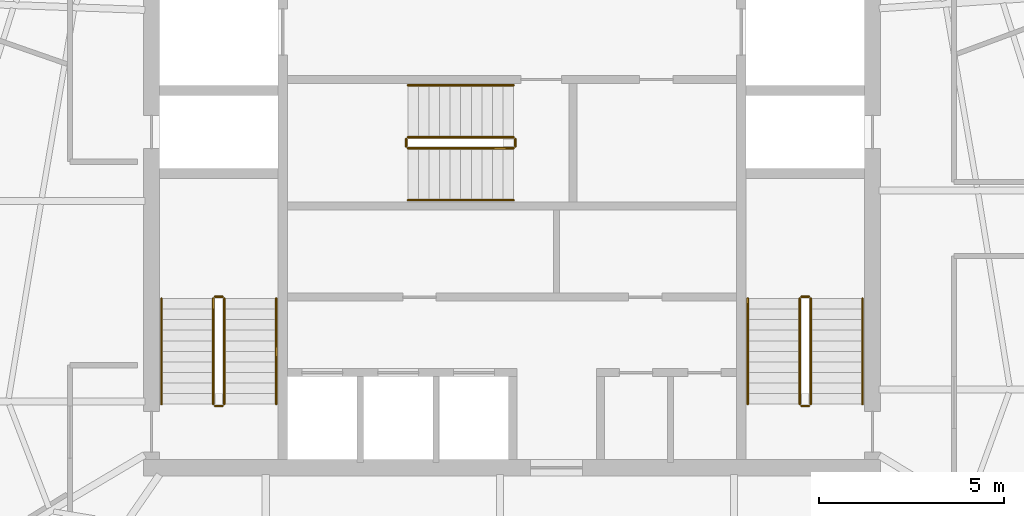
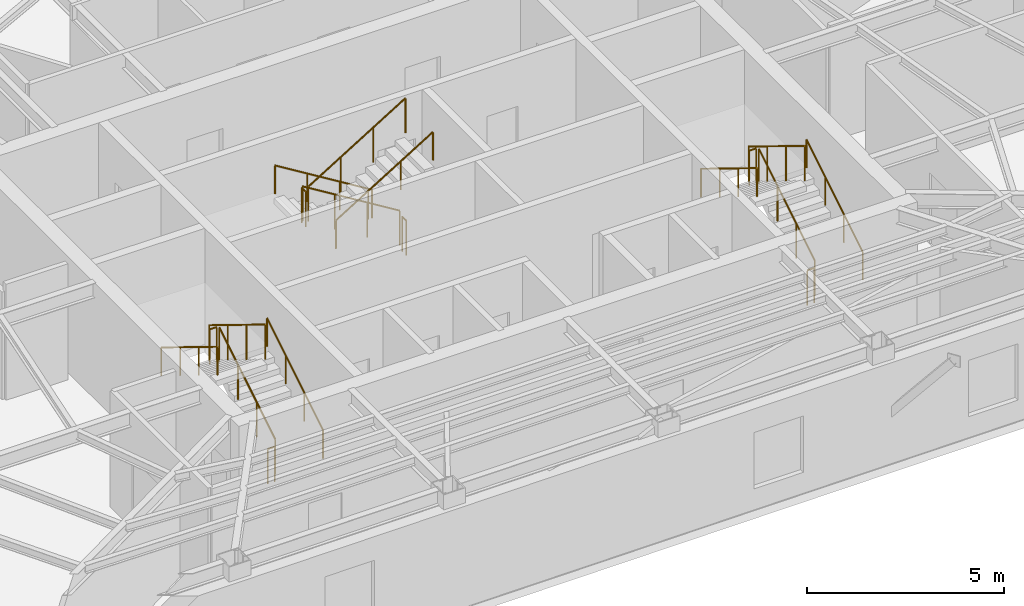
# One storey, part 10 of 10: 18 railings.
"""IFC4 building model written with IfcOpenShell, lengths in metres."""

from ifc_helpers import new_model, si_unit, direction, frame, origin, origin_2d, place, context, subcontext, project, spatial, circle, extrude, material, type_object, element, save


model = new_model("IFC4")

# Units and contexts
model_context = context("Model", 3, precision=1e-05, world=origin(), true_north=direction((0.0, 1.0)))
body_context = subcontext(model_context, "Body", "Model", "MODEL_VIEW")
ifc_project = project(units=[si_unit("LENGTHUNIT", "METRE"), si_unit("AREAUNIT", "SQUARE_METRE"), si_unit("VOLUMEUNIT", "CUBIC_METRE"), si_unit("PLANEANGLEUNIT", "RADIAN"), si_unit("MASSUNIT", "GRAM", prefix="KILO")], contexts=[model_context])

# Site, building, storey
site_placement = place(None, origin())
site = spatial("IfcSite", under=ifc_project, at=site_placement, CompositionType="ELEMENT")
building_placement = place(site_placement, origin())
building = spatial("IfcBuilding", under=site, at=building_placement, Name="Kavelnor Concourse Tower", CompositionType="ELEMENT")
storey_placement = place(building_placement, frame((0.0, 0.0, 211.199951171875)))
storey = spatial("IfcBuildingStorey", under=building, at=storey_placement, Name="L53", CompositionType="ELEMENT", Elevation=211.199951171875)

# Railings
ifc_material = material(Name="Steel Grade 350", Category="steel")
railing_type_1 = type_object("IfcRailingType", Name="RLG-GUARD-1100", PredefinedType="GUARDRAIL", material=ifc_material)
railing_1_placement = place(storey_placement, frame((30.22998046875, 11.10009765625, 0.175048828125)))
element("IfcRailing", 1, at=railing_1_placement, inside=storey, type_object=railing_type_1, Name="L53 ST1 stair guard 1", PredefinedType="GUARDRAIL", context=body_context, shape_type="SweptSolid", body=[
    extrude(circle(Radius=0.02392578125, at=origin_2d()), frame((0.0, 0.0, 1.076171875), z_axis=(0.0, 0.852159232446, 0.523282564737), x_axis=(-1.0, 0.0, 0.0)), (0.0, 0.0, 1.0), 3.34423828125),
    extrude(circle(Radius=0.02099609375, at=origin_2d()), origin(), (0.0, 0.0, 1.0), 1.052001953125),
    extrude(circle(Radius=0.02099609375, at=origin_2d()), frame((0.0, 0.949951171875, 0.583251953125)), (0.0, 0.0, 1.0), 1.052001953125),
    extrude(circle(Radius=0.02099609375, at=origin_2d()), frame((0.0, 1.89990234375, 1.166748046875)), (0.0, 0.0, 1.0), 1.052001953125),
    extrude(circle(Radius=0.02099609375, at=origin_2d()), frame((0.0, 2.849853515625, 1.75)), (0.0, 0.0, 1.0), 1.052001953125),
])
railing_2_placement = place(storey_placement, frame((30.179931640625, 14.0, 1.925048828125)))
element("IfcRailing", 2, at=railing_2_placement, inside=storey, type_object=railing_type_1, Name="L53 ST1 stair guard 2", PredefinedType="GUARDRAIL", context=body_context, shape_type="SweptSolid", body=[
    extrude(circle(Radius=0.02392578125, at=origin_2d()), frame((0.0, 0.0, 1.076171875), z_axis=(-1.0, 0.0, 0.0), x_axis=(0.0, -1.0, 0.0)), (0.0, 0.0, 1.0), 0.199951171875),
    extrude(circle(Radius=0.02099609375, at=origin_2d()), origin(), (0.0, 0.0, 1.0), 1.052001953125),
    extrude(circle(Radius=0.02099609375, at=origin_2d()), frame((-0.199951171875, 0.0, 0.0)), (0.0, 0.0, 1.0), 1.052001953125),
])
railing_3_placement = place(storey_placement, frame((29.929931640625, 13.949951171875, 2.10009765625)))
element("IfcRailing", 3, at=railing_3_placement, inside=storey, type_object=railing_type_1, Name="L53 ST1 stair guard 3", PredefinedType="GUARDRAIL", context=body_context, shape_type="SweptSolid", body=[
    extrude(circle(Radius=0.02392578125, at=origin_2d()), frame((0.0, 0.0, 1.076171875), z_axis=(0.0, -0.852159232446, 0.523282564737), x_axis=(1.0, 0.0, 0.0)), (0.0, 0.0, 1.0), 3.34423828125),
    extrude(circle(Radius=0.02099609375, at=origin_2d()), origin(), (0.0, 0.0, 1.0), 1.052001953125),
    extrude(circle(Radius=0.02099609375, at=origin_2d()), frame((0.0, -0.949951171875, 0.583251953125)), (0.0, 0.0, 1.0), 1.052001953125),
    extrude(circle(Radius=0.02099609375, at=origin_2d()), frame((0.0, -1.89990234375, 1.166748046875)), (0.0, 0.0, 1.0), 1.052001953125),
    extrude(circle(Radius=0.02099609375, at=origin_2d()), frame((0.0, -2.849853515625, 1.75)), (0.0, 0.0, 1.0), 1.052001953125),
])
railing_4_placement = place(storey_placement, frame((30.179931640625, 11.050048828125, 0.0)))
element("IfcRailing", 4, at=railing_4_placement, inside=storey, type_object=railing_type_1, Name="L53 ST1 stair guard 4", PredefinedType="GUARDRAIL", context=body_context, shape_type="SweptSolid", body=[
    extrude(circle(Radius=0.02392578125, at=origin_2d()), frame((0.0, 0.0, 1.076171875), z_axis=(-1.0, 0.0, 0.0), x_axis=(0.0, -1.0, 0.0)), (0.0, 0.0, 1.0), 0.199951171875),
    extrude(circle(Radius=0.02099609375, at=origin_2d()), origin(), (0.0, 0.0, 1.0), 1.052001953125),
    extrude(circle(Radius=0.02099609375, at=origin_2d()), frame((-0.199951171875, 0.0, 0.0)), (0.0, 0.0, 1.0), 1.052001953125),
])
railing_5_placement = place(storey_placement, frame((46.070068359375, 11.10009765625, 0.175048828125)))
element("IfcRailing", 5, at=railing_5_placement, inside=storey, type_object=railing_type_1, Name="L53 ST2 stair guard 1", PredefinedType="GUARDRAIL", context=body_context, shape_type="SweptSolid", body=[
    extrude(circle(Radius=0.02392578125, at=origin_2d()), frame((0.0, 0.0, 1.076171875), z_axis=(0.0, 0.852159232446, 0.523282564737), x_axis=(-1.0, 0.0, 0.0)), (0.0, 0.0, 1.0), 3.34423828125),
    extrude(circle(Radius=0.02099609375, at=origin_2d()), origin(), (0.0, 0.0, 1.0), 1.052001953125),
    extrude(circle(Radius=0.02099609375, at=origin_2d()), frame((0.0, 0.949951171875, 0.583251953125)), (0.0, 0.0, 1.0), 1.052001953125),
    extrude(circle(Radius=0.02099609375, at=origin_2d()), frame((0.0, 1.89990234375, 1.166748046875)), (0.0, 0.0, 1.0), 1.052001953125),
    extrude(circle(Radius=0.02099609375, at=origin_2d()), frame((0.0, 2.849853515625, 1.75)), (0.0, 0.0, 1.0), 1.052001953125),
])
railing_6_placement = place(storey_placement, frame((46.02001953125, 14.0, 1.925048828125)))
element("IfcRailing", 6, at=railing_6_placement, inside=storey, type_object=railing_type_1, Name="L53 ST2 stair guard 2", PredefinedType="GUARDRAIL", context=body_context, shape_type="SweptSolid", body=[
    extrude(circle(Radius=0.02392578125, at=origin_2d()), frame((0.0, 0.0, 1.076171875), z_axis=(-1.0, 0.0, 0.0), x_axis=(0.0, -1.0, 0.0)), (0.0, 0.0, 1.0), 0.199951171875),
    extrude(circle(Radius=0.02099609375, at=origin_2d()), origin(), (0.0, 0.0, 1.0), 1.052001953125),
    extrude(circle(Radius=0.02099609375, at=origin_2d()), frame((-0.199951171875, 0.0, 0.0)), (0.0, 0.0, 1.0), 1.052001953125),
])
railing_7_placement = place(storey_placement, frame((45.77001953125, 13.949951171875, 2.10009765625)))
element("IfcRailing", 7, at=railing_7_placement, inside=storey, type_object=railing_type_1, Name="L53 ST2 stair guard 3", PredefinedType="GUARDRAIL", context=body_context, shape_type="SweptSolid", body=[
    extrude(circle(Radius=0.02392578125, at=origin_2d()), frame((0.0, 0.0, 1.076171875), z_axis=(0.0, -0.852159232446, 0.523282564737), x_axis=(1.0, 0.0, 0.0)), (0.0, 0.0, 1.0), 3.34423828125),
    extrude(circle(Radius=0.02099609375, at=origin_2d()), origin(), (0.0, 0.0, 1.0), 1.052001953125),
    extrude(circle(Radius=0.02099609375, at=origin_2d()), frame((0.0, -0.949951171875, 0.583251953125)), (0.0, 0.0, 1.0), 1.052001953125),
    extrude(circle(Radius=0.02099609375, at=origin_2d()), frame((0.0, -1.89990234375, 1.166748046875)), (0.0, 0.0, 1.0), 1.052001953125),
    extrude(circle(Radius=0.02099609375, at=origin_2d()), frame((0.0, -2.849853515625, 1.75)), (0.0, 0.0, 1.0), 1.052001953125),
])
railing_8_placement = place(storey_placement, frame((46.02001953125, 11.050048828125, 0.0)))
element("IfcRailing", 8, at=railing_8_placement, inside=storey, type_object=railing_type_1, Name="L53 ST2 stair guard 4", PredefinedType="GUARDRAIL", context=body_context, shape_type="SweptSolid", body=[
    extrude(circle(Radius=0.02392578125, at=origin_2d()), frame((0.0, 0.0, 1.076171875), z_axis=(-1.0, 0.0, 0.0), x_axis=(0.0, -1.0, 0.0)), (0.0, 0.0, 1.0), 0.199951171875),
    extrude(circle(Radius=0.02099609375, at=origin_2d()), origin(), (0.0, 0.0, 1.0), 1.052001953125),
    extrude(circle(Radius=0.02099609375, at=origin_2d()), frame((-0.199951171875, 0.0, 0.0)), (0.0, 0.0, 1.0), 1.052001953125),
])
railing_9_placement = place(storey_placement, frame((38.0400390625, 18.31005859375, 0.175048828125)))
element("IfcRailing", 9, at=railing_9_placement, inside=storey, type_object=railing_type_1, Name="L53 ST3 stair guard 1", PredefinedType="GUARDRAIL", context=body_context, shape_type="SweptSolid", body=[
    extrude(circle(Radius=0.02392578125, at=origin_2d()), frame((0.0, 0.0, 1.076171875), z_axis=(-0.852179220489, 0.0, 0.52325001306), x_axis=(0.0, -1.0, 0.0)), (0.0, 0.0, 1.0), 3.344482421875),
    extrude(circle(Radius=0.02099609375, at=origin_2d()), origin(), (0.0, 0.0, 1.0), 1.052001953125),
    extrude(circle(Radius=0.02099609375, at=origin_2d()), frame((-0.949951171875, 0.0, 0.583251953125)), (0.0, 0.0, 1.0), 1.052001953125),
    extrude(circle(Radius=0.02099609375, at=origin_2d()), frame((-1.900146484375, 0.0, 1.166748046875)), (0.0, 0.0, 1.0), 1.052001953125),
    extrude(circle(Radius=0.02099609375, at=origin_2d()), frame((-2.85009765625, 0.0, 1.75)), (0.0, 0.0, 1.0), 1.052001953125),
])
railing_10_placement = place(storey_placement, frame((35.139892578125, 18.260009765625, 1.925048828125)))
element("IfcRailing", 10, at=railing_10_placement, inside=storey, type_object=railing_type_1, Name="L53 ST3 stair guard 2", PredefinedType="GUARDRAIL", context=body_context, shape_type="SweptSolid", body=[
    extrude(circle(Radius=0.02392578125, at=origin_2d()), frame((0.0, 0.0, 1.076171875), z_axis=(0.0, -1.0, 0.0), x_axis=(1.0, 0.0, 0.0)), (0.0, 0.0, 1.0), 0.199951171875),
    extrude(circle(Radius=0.02099609375, at=origin_2d()), origin(), (0.0, 0.0, 1.0), 1.052001953125),
    extrude(circle(Radius=0.02099609375, at=origin_2d()), frame((0.0, -0.199951171875, 0.0)), (0.0, 0.0, 1.0), 1.052001953125),
])
railing_11_placement = place(storey_placement, frame((35.18994140625, 18.010009765625, 2.10009765625)))
element("IfcRailing", 11, at=railing_11_placement, inside=storey, type_object=railing_type_1, Name="L53 ST3 stair guard 3", PredefinedType="GUARDRAIL", context=body_context, shape_type="SweptSolid", body=[
    extrude(circle(Radius=0.02392578125, at=origin_2d()), frame((0.0, 0.0, 1.076171875), z_axis=(0.852179220489, 0.0, 0.52325001306), x_axis=(0.0, 1.0, 0.0)), (0.0, 0.0, 1.0), 3.344482421875),
    extrude(circle(Radius=0.02099609375, at=origin_2d()), origin(), (0.0, 0.0, 1.0), 1.052001953125),
    extrude(circle(Radius=0.02099609375, at=origin_2d()), frame((0.949951171875, 0.0, 0.583251953125)), (0.0, 0.0, 1.0), 1.052001953125),
    extrude(circle(Radius=0.02099609375, at=origin_2d()), frame((1.900146484375, 0.0, 1.166748046875)), (0.0, 0.0, 1.0), 1.052001953125),
    extrude(circle(Radius=0.02099609375, at=origin_2d()), frame((2.85009765625, 0.0, 1.75)), (0.0, 0.0, 1.0), 1.052001953125),
])
railing_12_placement = place(storey_placement, frame((38.090087890625, 18.260009765625, 0.0)))
element("IfcRailing", 12, at=railing_12_placement, inside=storey, type_object=railing_type_1, Name="L53 ST3 stair guard 4", PredefinedType="GUARDRAIL", context=body_context, shape_type="SweptSolid", body=[
    extrude(circle(Radius=0.02392578125, at=origin_2d()), frame((0.0, 0.0, 1.076171875), z_axis=(0.0, -1.0, 0.0), x_axis=(1.0, 0.0, 0.0)), (0.0, 0.0, 1.0), 0.199951171875),
    extrude(circle(Radius=0.02099609375, at=origin_2d()), origin(), (0.0, 0.0, 1.0), 1.052001953125),
    extrude(circle(Radius=0.02099609375, at=origin_2d()), frame((0.0, -0.199951171875, 0.0)), (0.0, 0.0, 1.0), 1.052001953125),
])
railing_type_2 = type_object("IfcRailingType", Name="RLG-HANDRAIL-900", PredefinedType="HANDRAIL", material=ifc_material)
railing_13_placement = place(storey_placement, frame((31.6298828125, 11.10009765625, 0.175048828125)))
element("IfcRailing", 13, at=railing_13_placement, inside=storey, type_object=railing_type_2, Name="L53 ST1 stair handrail 1", PredefinedType="HANDRAIL", context=body_context, shape_type="SweptSolid", body=[
    extrude(circle(Radius=0.02392578125, at=origin_2d()), frame((0.0, 0.0, 0.8759765625), z_axis=(0.0, 0.852159232446, 0.523282564737), x_axis=(-1.0, 0.0, 0.0)), (0.0, 0.0, 1.0), 3.34423828125),
    extrude(circle(Radius=0.02099609375, at=origin_2d()), origin(), (0.0, 0.0, 1.0), 0.851806640625),
    extrude(circle(Radius=0.02099609375, at=origin_2d()), frame((0.0, 0.949951171875, 0.583251953125)), (0.0, 0.0, 1.0), 0.851806640625),
    extrude(circle(Radius=0.02099609375, at=origin_2d()), frame((0.0, 1.89990234375, 1.166748046875)), (0.0, 0.0, 1.0), 0.851806640625),
    extrude(circle(Radius=0.02099609375, at=origin_2d()), frame((0.0, 2.849853515625, 1.75)), (0.0, 0.0, 1.0), 0.851806640625),
])
railing_14_placement = place(storey_placement, frame((28.530029296875, 13.949951171875, 2.10009765625)))
element("IfcRailing", 14, at=railing_14_placement, inside=storey, type_object=railing_type_2, Name="L53 ST1 stair handrail 2", PredefinedType="HANDRAIL", context=body_context, shape_type="SweptSolid", body=[
    extrude(circle(Radius=0.02392578125, at=origin_2d()), frame((0.0, 0.0, 0.8759765625), z_axis=(0.0, -0.852159232446, 0.523282564737), x_axis=(1.0, 0.0, 0.0)), (0.0, 0.0, 1.0), 3.34423828125),
    extrude(circle(Radius=0.02099609375, at=origin_2d()), origin(), (0.0, 0.0, 1.0), 0.851806640625),
    extrude(circle(Radius=0.02099609375, at=origin_2d()), frame((0.0, -0.949951171875, 0.583251953125)), (0.0, 0.0, 1.0), 0.851806640625),
    extrude(circle(Radius=0.02099609375, at=origin_2d()), frame((0.0, -1.89990234375, 1.166748046875)), (0.0, 0.0, 1.0), 0.851806640625),
    extrude(circle(Radius=0.02099609375, at=origin_2d()), frame((0.0, -2.849853515625, 1.75)), (0.0, 0.0, 1.0), 0.851806640625),
])
railing_15_placement = place(storey_placement, frame((47.469970703125, 11.10009765625, 0.175048828125)))
element("IfcRailing", 15, at=railing_15_placement, inside=storey, type_object=railing_type_2, Name="L53 ST2 stair handrail 1", PredefinedType="HANDRAIL", context=body_context, shape_type="SweptSolid", body=[
    extrude(circle(Radius=0.02392578125, at=origin_2d()), frame((0.0, 0.0, 0.8759765625), z_axis=(0.0, 0.852159232446, 0.523282564737), x_axis=(-1.0, 0.0, 0.0)), (0.0, 0.0, 1.0), 3.34423828125),
    extrude(circle(Radius=0.02099609375, at=origin_2d()), origin(), (0.0, 0.0, 1.0), 0.851806640625),
    extrude(circle(Radius=0.02099609375, at=origin_2d()), frame((0.0, 0.949951171875, 0.583251953125)), (0.0, 0.0, 1.0), 0.851806640625),
    extrude(circle(Radius=0.02099609375, at=origin_2d()), frame((0.0, 1.89990234375, 1.166748046875)), (0.0, 0.0, 1.0), 0.851806640625),
    extrude(circle(Radius=0.02099609375, at=origin_2d()), frame((0.0, 2.849853515625, 1.75)), (0.0, 0.0, 1.0), 0.851806640625),
])
railing_16_placement = place(storey_placement, frame((44.3701171875, 13.949951171875, 2.10009765625)))
element("IfcRailing", 16, at=railing_16_placement, inside=storey, type_object=railing_type_2, Name="L53 ST2 stair handrail 2", PredefinedType="HANDRAIL", context=body_context, shape_type="SweptSolid", body=[
    extrude(circle(Radius=0.02392578125, at=origin_2d()), frame((0.0, 0.0, 0.8759765625), z_axis=(0.0, -0.852159232446, 0.523282564737), x_axis=(1.0, 0.0, 0.0)), (0.0, 0.0, 1.0), 3.34423828125),
    extrude(circle(Radius=0.02099609375, at=origin_2d()), origin(), (0.0, 0.0, 1.0), 0.851806640625),
    extrude(circle(Radius=0.02099609375, at=origin_2d()), frame((0.0, -0.949951171875, 0.583251953125)), (0.0, 0.0, 1.0), 0.851806640625),
    extrude(circle(Radius=0.02099609375, at=origin_2d()), frame((0.0, -1.89990234375, 1.166748046875)), (0.0, 0.0, 1.0), 0.851806640625),
    extrude(circle(Radius=0.02099609375, at=origin_2d()), frame((0.0, -2.849853515625, 1.75)), (0.0, 0.0, 1.0), 0.851806640625),
])
railing_17_placement = place(storey_placement, frame((38.0400390625, 19.7099609375, 0.175048828125)))
element("IfcRailing", 17, at=railing_17_placement, inside=storey, type_object=railing_type_2, Name="L53 ST3 stair handrail 1", PredefinedType="HANDRAIL", context=body_context, shape_type="SweptSolid", body=[
    extrude(circle(Radius=0.02392578125, at=origin_2d()), frame((0.0, 0.0, 0.8759765625), z_axis=(-0.852179220489, 0.0, 0.52325001306), x_axis=(0.0, -1.0, 0.0)), (0.0, 0.0, 1.0), 3.344482421875),
    extrude(circle(Radius=0.02099609375, at=origin_2d()), origin(), (0.0, 0.0, 1.0), 0.851806640625),
    extrude(circle(Radius=0.02099609375, at=origin_2d()), frame((-0.949951171875, 0.0, 0.583251953125)), (0.0, 0.0, 1.0), 0.851806640625),
    extrude(circle(Radius=0.02099609375, at=origin_2d()), frame((-1.900146484375, 0.0, 1.166748046875)), (0.0, 0.0, 1.0), 0.851806640625),
    extrude(circle(Radius=0.02099609375, at=origin_2d()), frame((-2.85009765625, 0.0, 1.75)), (0.0, 0.0, 1.0), 0.851806640625),
])
railing_18_placement = place(storey_placement, frame((35.18994140625, 16.610107421875, 2.10009765625)))
element("IfcRailing", 18, at=railing_18_placement, inside=storey, type_object=railing_type_2, Name="L53 ST3 stair handrail 2", PredefinedType="HANDRAIL", context=body_context, shape_type="SweptSolid", body=[
    extrude(circle(Radius=0.02392578125, at=origin_2d()), frame((0.0, 0.0, 0.8759765625), z_axis=(0.852179220489, 0.0, 0.52325001306), x_axis=(0.0, 1.0, 0.0)), (0.0, 0.0, 1.0), 3.344482421875),
    extrude(circle(Radius=0.02099609375, at=origin_2d()), origin(), (0.0, 0.0, 1.0), 0.851806640625),
    extrude(circle(Radius=0.02099609375, at=origin_2d()), frame((0.949951171875, 0.0, 0.583251953125)), (0.0, 0.0, 1.0), 0.851806640625),
    extrude(circle(Radius=0.02099609375, at=origin_2d()), frame((1.900146484375, 0.0, 1.166748046875)), (0.0, 0.0, 1.0), 0.851806640625),
    extrude(circle(Radius=0.02099609375, at=origin_2d()), frame((2.85009765625, 0.0, 1.75)), (0.0, 0.0, 1.0), 0.851806640625),
])

save(model, "model.ifc")
